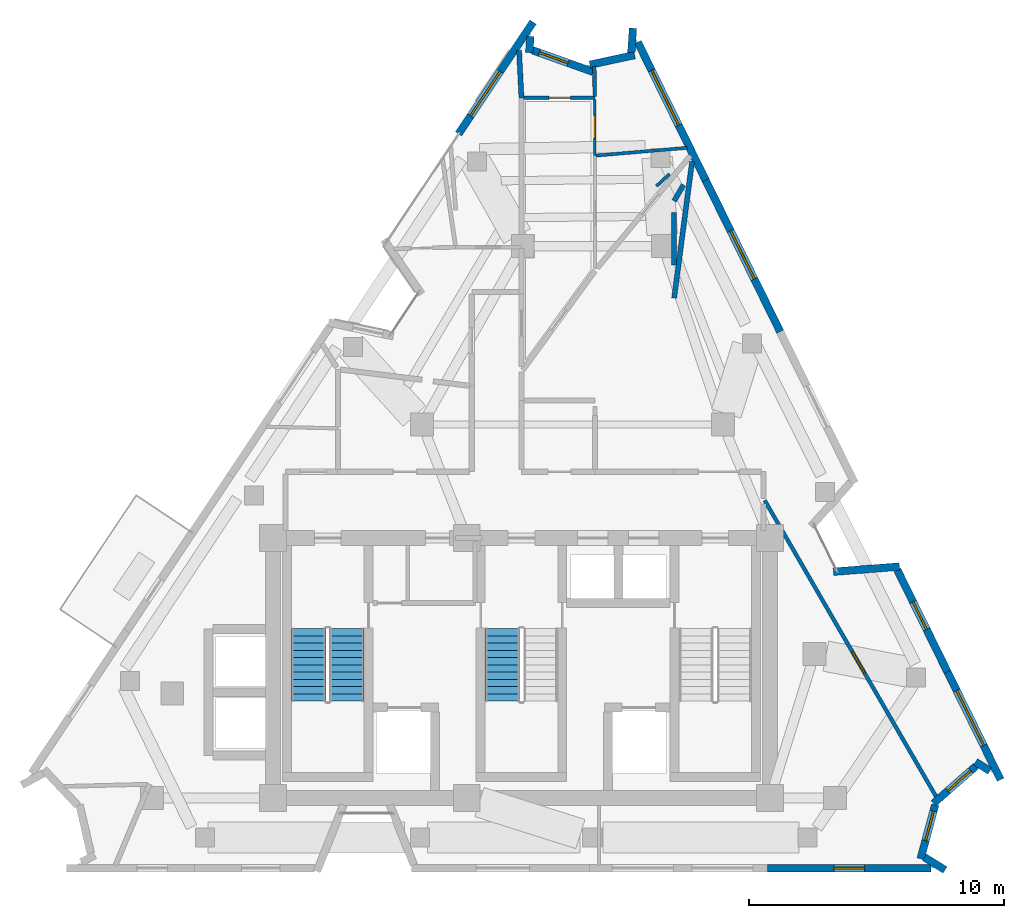
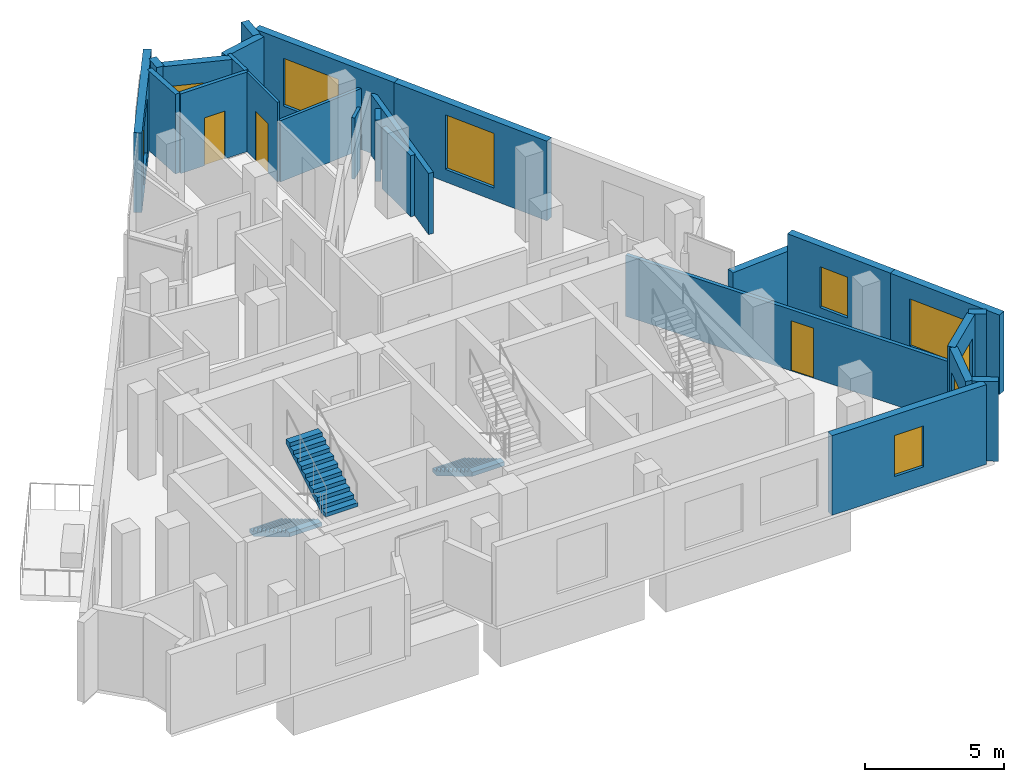
# One storey, part 7 of 10: 25 walls, 9 windows, 3 doors, 3 stair flights, 12 openings, 2 elements without a shape of their own.
"""IFC4 building model written with IfcOpenShell, lengths in metres."""

from ifc_helpers import new_model, si_unit, direction, frame, frame_2d, origin, place, context, subcontext, project, spatial, polyline, rectangle, outline, extrude, material, layer, layer_set, type_object, element, fill, aggregate, save


model = new_model("IFC4")

# Units and contexts
model_context = context("Model", 3, precision=1e-05, world=origin(), true_north=direction((0.0, 1.0)))
body_context = subcontext(model_context, "Body", "Model", "MODEL_VIEW")
ifc_project = project(units=[si_unit("LENGTHUNIT", "METRE"), si_unit("AREAUNIT", "SQUARE_METRE"), si_unit("VOLUMEUNIT", "CUBIC_METRE"), si_unit("PLANEANGLEUNIT", "RADIAN"), si_unit("MASSUNIT", "GRAM", prefix="KILO")], contexts=[model_context])

# Site, building, storey
site_placement = place(None, origin())
site = spatial("IfcSite", under=ifc_project, at=site_placement, CompositionType="ELEMENT")
building_placement = place(site_placement, origin())
building = spatial("IfcBuilding", under=site, at=building_placement, Name="Almagre Mirador Tower", CompositionType="ELEMENT")
storey_placement = place(building_placement, frame((0.0, 0.0, 270.75)))
storey = spatial("IfcBuildingStorey", under=building, at=storey_placement, Name="L70", CompositionType="ELEMENT", Elevation=270.75)

# Wall, opening, window
ifc_material_1 = material(Name="Precast concrete C50/60", Category="concrete")
ifc_layer_1 = layer(ifc_material_1, 0.300048828125)
ifc_layer_set_1 = layer_set([ifc_layer_1], Name="Precast concrete C50/60")
wall_type_1 = type_object("IfcWallType", Name="WAL-EXT-300", PredefinedType="SOLIDWALL", material=ifc_layer_set_1)
wall_1_placement = place(storey_placement, frame((34.83056640625, 30.6064453125, 0.0), z_axis=(0.0, 0.0, 1.0), x_axis=(0.555223932881, 0.831700898374, 0.0)))
wall_1 = element("IfcWall", 1, at=wall_1_placement, inside=storey, type_object=wall_type_1, Name="L70 expressed almagre precast frame wall 03", PredefinedType="SOLIDWALL", context=body_context, shape_type="SweptSolid", body=[
    extrude(rectangle(XDim=5.27001953125, YDim=0.300048828125, at=frame_2d((2.635009765625, 0.0))), origin(), (0.0, 0.0, 1.0), 3.5),
])
opening_1_placement = place(wall_1_placement, frame((0.85009765625, 0.0, 0.550048828125)))
opening_1 = element("IfcOpeningElement", 2, at=opening_1_placement, cuts=wall_1, Name="Opening WN-05", PredefinedType="OPENING", context=body_context, shape_type="SweptSolid", body=[
    extrude(rectangle(XDim=2.10009765625, YDim=2.39990234375, at=frame_2d((1.050048828125, 1.199951171875))), frame((0.0, 0.159902, 0.0), z_axis=(0.0, -1.0, 0.0), x_axis=(1.0, 0.0, 0.0)), (0.0, 0.0, 1.0), 0.320049),
])
ifc_material_2 = material(Name="Dark solar-control laminated hurricane glass", Category="glass")
window_type_1 = type_object("IfcWindowType", Name="WIN-2100X2400", PartitioningType="DOUBLE_PANEL_VERTICAL", PredefinedType="WINDOW", material=ifc_material_2)
window_1_placement = place(opening_1_placement, origin())
window_1 = element("IfcWindow", 3, at=window_1_placement, inside=storey, type_object=window_type_1, Name="L70 recessed hurricane window L70-UG-KT", OverallHeight=2.39990234375, OverallWidth=2.10009765625, PartitioningType="SINGLE_PANEL", PredefinedType="WINDOW", context=body_context, shape_type="SweptSolid", body=[
    extrude(rectangle(XDim=2.10009765625, YDim=2.39990234375, at=frame_2d((1.050048828125, 1.199951171875))), frame((0.0, 0.030029296875, 0.0), z_axis=(0.0, -1.0, 0.0), x_axis=(1.0, 0.0, 0.0)), (0.0, 0.0, 1.0), 0.06005859375),
])
fill(opening_1, window_1)

# Wall
wall_2_placement = place(storey_placement, frame((37.64990234375, 34.428955078125, 0.0), z_axis=(0.0, 0.0, 1.0), x_axis=(-0.065607578869, -0.997845501866, 0.0)))
element("IfcWall", 4, at=wall_2_placement, inside=storey, type_object=wall_type_1, Name="L70 expressed almagre precast frame wall 04", PredefinedType="SOLIDWALL", context=body_context, shape_type="SweptSolid", body=[
    extrude(rectangle(XDim=0.64013671875, YDim=0.300048828125, at=frame_2d((0.320068359375, 0.0))), origin(), (0.0, 0.0, 1.0), 3.5),
])

# Wall, opening, window
wall_3_placement = place(storey_placement, frame((37.73681640625, 33.88720703125, 0.0), z_axis=(0.0, 0.0, 1.0), x_axis=(0.941667304475, -0.33654522383, 0.0)))
wall_3 = element("IfcWall", 5, at=wall_3_placement, inside=storey, type_object=wall_type_1, Name="L70 expressed almagre precast frame wall 05", PredefinedType="SOLIDWALL", context=body_context, shape_type="SweptSolid", body=[
    extrude(rectangle(XDim=2.51806640625, YDim=0.300048828125, at=frame_2d((1.259033203125, 0.0))), origin(), (0.0, 0.0, 1.0), 3.5),
])
opening_2_placement = place(wall_3_placement, frame((0.282958984375, 0.0, 0.800048828125)))
opening_2 = element("IfcOpeningElement", 6, at=opening_2_placement, cuts=wall_3, Name="Opening WN-04", PredefinedType="OPENING", context=body_context, shape_type="SweptSolid", body=[
    extrude(rectangle(XDim=1.199951171875, YDim=1.800048828125, at=frame_2d((0.60009765625, 0.89990234375))), frame((0.0, 0.159902, 0.0), z_axis=(0.0, -1.0, 0.0), x_axis=(1.0, 0.0, 0.0)), (0.0, 0.0, 1.0), 0.320049),
])
ifc_material_3 = material(Name="Dark solar-control laminated hurricane glass", Category="glass")
window_type_2 = type_object("IfcWindowType", Name="WIN-1200X1800", PartitioningType="SINGLE_PANEL", PredefinedType="WINDOW", material=ifc_material_3)
window_2_placement = place(opening_2_placement, origin())
window_2 = element("IfcWindow", 7, at=window_2_placement, inside=storey, type_object=window_type_2, Name="L70 recessed hurricane window L70-UJ-HB", OverallHeight=1.800048828125, OverallWidth=1.199951171875, PartitioningType="SINGLE_PANEL", PredefinedType="WINDOW", context=body_context, shape_type="SweptSolid", body=[
    extrude(rectangle(XDim=1.199951171875, YDim=1.800048828125, at=frame_2d((0.60009765625, 0.89990234375))), frame((0.0, 0.030029296875, 0.0), z_axis=(0.0, -1.0, 0.0), x_axis=(1.0, 0.0, 0.0)), (0.0, 0.0, 1.0), 0.06005859375),
])
fill(opening_2, window_2)

# Walls
wall_4_placement = place(storey_placement, frame((39.983642578125, 33.3193359375, 0.0), z_axis=(0.0, 0.0, 1.0), x_axis=(0.977595119272, 0.210494139526, 0.0)))
element("IfcWall", 8, at=wall_4_placement, inside=storey, type_object=wall_type_1, Name="L70 expressed almagre precast frame wall 06", PredefinedType="SOLIDWALL", context=body_context, shape_type="SweptSolid", body=[
    extrude(rectangle(XDim=1.796630859375, YDim=0.300048828125, at=frame_2d((0.8984375, 0.0))), origin(), (0.0, 0.0, 1.0), 3.5),
])
wall_5_placement = place(storey_placement, frame((41.611572265625, 33.797607421875, 0.0), z_axis=(0.0, 0.0, 1.0), x_axis=(0.065687740424, 0.997840228072, 0.0)))
element("IfcWall", 9, at=wall_5_placement, inside=storey, type_object=wall_type_1, Name="L70 expressed almagre precast frame wall 07", PredefinedType="SOLIDWALL", context=body_context, shape_type="SweptSolid", body=[
    extrude(rectangle(XDim=0.955078125, YDim=0.300048828125, at=frame_2d((0.4775390625, 0.0))), origin(), (0.0, 0.0, 1.0), 3.5),
])

# Wall, opening, window
wall_6_placement = place(storey_placement, frame((41.86572265625, 34.20263671875, 0.0), z_axis=(0.0, 0.0, 1.0), x_axis=(0.44130789532, -0.897355749705, 0.0)))
wall_6 = element("IfcWall", 10, at=wall_6_placement, inside=storey, type_object=wall_type_1, Name="L70 expressed almagre precast frame wall 08", PredefinedType="SOLIDWALL", context=body_context, shape_type="SweptSolid", body=[
    extrude(rectangle(XDim=6.029052734375, YDim=0.300048828125, at=frame_2d((3.0146484375, 0.0))), origin(), (0.0, 0.0, 1.0), 3.5),
])
opening_3_placement = place(wall_6_placement, frame((1.22998046875, 0.0, 0.60009765625)))
opening_3 = element("IfcOpeningElement", 11, at=opening_3_placement, cuts=wall_6, Name="Opening WN-02", PredefinedType="OPENING", context=body_context, shape_type="SweptSolid", body=[
    extrude(rectangle(XDim=2.39990234375, YDim=2.10009765625, at=frame_2d((1.199951171875, 1.050048828125))), frame((0.0, 0.159902, 0.0), z_axis=(0.0, -1.0, 0.0), x_axis=(1.0, 0.0, 0.0)), (0.0, 0.0, 1.0), 0.320049),
])
ifc_material_4 = material(Name="Dark solar-control laminated hurricane glass", Category="glass")
window_type_3 = type_object("IfcWindowType", Name="WIN-2400X2100", PartitioningType="TRIPLE_PANEL_VERTICAL", PredefinedType="WINDOW", material=ifc_material_4)
window_3_placement = place(opening_3_placement, origin())
window_3 = element("IfcWindow", 12, at=window_3_placement, inside=storey, type_object=window_type_3, Name="L70 recessed hurricane window L70-UJ-MB", OverallHeight=2.10009765625, OverallWidth=2.39990234375, PartitioningType="SINGLE_PANEL", PredefinedType="WINDOW", context=body_context, shape_type="SweptSolid", body=[
    extrude(rectangle(XDim=2.39990234375, YDim=2.10009765625, at=frame_2d((1.199951171875, 1.050048828125))), frame((0.0, 0.030029296875, 0.0), z_axis=(0.0, -1.0, 0.0), x_axis=(1.0, 0.0, 0.0)), (0.0, 0.0, 1.0), 0.06005859375),
])
fill(opening_3, window_3)

wall_7_placement = place(storey_placement, frame((44.5263671875, 28.79248046875, 0.0), z_axis=(0.0, 0.0, 1.0), x_axis=(0.441321601589, -0.89734900901, 0.0)))
wall_7 = element("IfcWall", 13, at=wall_7_placement, inside=storey, type_object=wall_type_1, Name="L70 expressed almagre precast frame wall 09", PredefinedType="SOLIDWALL", context=body_context, shape_type="SweptSolid", body=[
    extrude(rectangle(XDim=6.6240234375, YDim=0.300048828125, at=frame_2d((3.31201171875, 0.0))), origin(), (0.0, 0.0, 1.0), 3.5),
])
opening_4_placement = place(wall_7_placement, frame((2.22509765625, 0.0, 0.550048828125)))
opening_4 = element("IfcOpeningElement", 14, at=opening_4_placement, cuts=wall_7, Name="Opening WN-05", PredefinedType="OPENING", context=body_context, shape_type="SweptSolid", body=[
    extrude(rectangle(XDim=2.10009765625, YDim=2.39990234375, at=frame_2d((1.050048828125, 1.199951171875))), frame((0.0, 0.159902, 0.0), z_axis=(0.0, -1.0, 0.0), x_axis=(1.0, 0.0, 0.0)), (0.0, 0.0, 1.0), 0.320049),
])
window_4_placement = place(opening_4_placement, origin())
window_4 = element("IfcWindow", 15, at=window_4_placement, inside=storey, type_object=window_type_1, Name="L70 recessed hurricane window L70-RST-F", OverallHeight=2.39990234375, OverallWidth=2.10009765625, PartitioningType="SINGLE_PANEL", PredefinedType="WINDOW", context=body_context, shape_type="SweptSolid", body=[
    extrude(rectangle(XDim=2.10009765625, YDim=2.39990234375, at=frame_2d((1.050048828125, 1.199951171875))), frame((0.0, 0.030029296875, 0.0), z_axis=(0.0, -1.0, 0.0), x_axis=(1.0, 0.0, 0.0)), (0.0, 0.0, 1.0), 0.06005859375),
])
fill(opening_4, window_4)

# Wall
wall_8_placement = place(storey_placement, frame((49.54150390625, 13.427001953125, 0.0), z_axis=(0.0, 0.0, 1.0), x_axis=(0.996900285663, 0.078675411953, 0.0)))
element("IfcWall", 16, at=wall_8_placement, inside=storey, type_object=wall_type_1, Name="L70 expressed almagre precast frame wall 12", PredefinedType="SOLIDWALL", context=body_context, shape_type="SweptSolid", body=[
    extrude(rectangle(XDim=2.59423828125, YDim=0.300048828125, at=frame_2d((1.297119140625, 0.0))), origin(), (0.0, 0.0, 1.0), 2.696044921875),
])

# Wall, opening, window
wall_9_placement = place(storey_placement, frame((52.047607421875, 13.498779296875, 0.0), z_axis=(0.0, 0.0, 1.0), x_axis=(0.441213940505, -0.897401949354, 0.0)))
wall_9 = element("IfcWall", 17, at=wall_9_placement, inside=storey, type_object=wall_type_1, Name="L70 expressed almagre precast frame wall 13", PredefinedType="SOLIDWALL", context=body_context, shape_type="SweptSolid", body=[
    extrude(rectangle(XDim=4.451171875, YDim=0.300048828125, at=frame_2d((2.2255859375, 0.0))), origin(), (0.0, 0.0, 1.0), 3.5),
])
opening_5_placement = place(wall_9_placement, frame((1.39990234375, 0.0, 0.800048828125)))
opening_5 = element("IfcOpeningElement", 18, at=opening_5_placement, cuts=wall_9, Name="Opening WN-04", PredefinedType="OPENING", context=body_context, shape_type="SweptSolid", body=[
    extrude(rectangle(XDim=1.199951171875, YDim=1.800048828125, at=frame_2d((0.60009765625, 0.89990234375))), frame((0.0, 0.159902, 0.0), z_axis=(0.0, -1.0, 0.0), x_axis=(1.0, 0.0, 0.0)), (0.0, 0.0, 1.0), 0.320049),
])
window_5_placement = place(opening_5_placement, origin())
window_5 = element("IfcWindow", 19, at=window_5_placement, inside=storey, type_object=window_type_2, Name="L70 recessed hurricane window L70-RST-F", OverallHeight=1.800048828125, OverallWidth=1.199951171875, PartitioningType="SINGLE_PANEL", PredefinedType="WINDOW", context=body_context, shape_type="SweptSolid", body=[
    extrude(rectangle(XDim=1.199951171875, YDim=1.800048828125, at=frame_2d((0.60009765625, 0.89990234375))), frame((0.0, 0.030029296875, 0.0), z_axis=(0.0, -1.0, 0.0), x_axis=(1.0, 0.0, 0.0)), (0.0, 0.0, 1.0), 0.06005859375),
])
fill(opening_5, window_5)

wall_10_placement = place(storey_placement, frame((54.011474609375, 9.50439453125, 0.0), z_axis=(0.0, 0.0, 1.0), x_axis=(0.44123168194, -0.897393226435, 0.0)))
wall_10 = element("IfcWall", 20, at=wall_10_placement, inside=storey, type_object=wall_type_1, Name="L70 expressed almagre precast frame wall 14", PredefinedType="SOLIDWALL", context=body_context, shape_type="SweptSolid", body=[
    extrude(rectangle(XDim=4.725830078125, YDim=0.300048828125, at=frame_2d((2.36279296875, 0.0))), origin(), (0.0, 0.0, 1.0), 3.5),
])
opening_6_placement = place(wall_10_placement, frame((0.824951171875, 0.0, 0.60009765625)))
opening_6 = element("IfcOpeningElement", 21, at=opening_6_placement, cuts=wall_10, Name="Opening WN-02", PredefinedType="OPENING", context=body_context, shape_type="SweptSolid", body=[
    extrude(rectangle(XDim=2.39990234375, YDim=2.10009765625, at=frame_2d((1.199951171875, 1.050048828125))), frame((0.0, 0.159902, 0.0), z_axis=(0.0, -1.0, 0.0), x_axis=(1.0, 0.0, 0.0)), (0.0, 0.0, 1.0), 0.320049),
])
window_6_placement = place(opening_6_placement, origin())
window_6 = element("IfcWindow", 22, at=window_6_placement, inside=storey, type_object=window_type_3, Name="L70 recessed hurricane window L70-RST-F", OverallHeight=2.10009765625, OverallWidth=2.39990234375, PartitioningType="SINGLE_PANEL", PredefinedType="WINDOW", context=body_context, shape_type="SweptSolid", body=[
    extrude(rectangle(XDim=2.39990234375, YDim=2.10009765625, at=frame_2d((1.199951171875, 1.050048828125))), frame((0.0, 0.030029296875, 0.0), z_axis=(0.0, -1.0, 0.0), x_axis=(1.0, 0.0, 0.0)), (0.0, 0.0, 1.0), 0.06005859375),
])
fill(opening_6, window_6)

# Wall
wall_11_placement = place(storey_placement, frame((55.67431640625, 5.61376953125, 0.0), z_axis=(0.0, 0.0, 1.0), x_axis=(-0.848455116915, 0.529267337535, 0.0)))
element("IfcWall", 23, at=wall_11_placement, inside=storey, type_object=wall_type_1, Name="L70 expressed almagre precast frame wall 15", PredefinedType="SOLIDWALL", context=body_context, shape_type="SweptSolid", body=[
    extrude(rectangle(XDim=0.66015625, YDim=0.300048828125, at=frame_2d((0.330078125, 0.0))), origin(), (0.0, 0.0, 1.0), 3.5),
])

# Wall, opening, window
wall_12_placement = place(storey_placement, frame((55.13525390625, 5.80322265625, 0.0), z_axis=(0.0, 0.0, 1.0), x_axis=(-0.751744762281, -0.659454177622, 0.0)))
wall_12 = element("IfcWall", 24, at=wall_12_placement, inside=storey, type_object=wall_type_1, Name="L70 expressed almagre precast frame wall 16", PredefinedType="SOLIDWALL", context=body_context, shape_type="SweptSolid", body=[
    extrude(rectangle(XDim=2.219482421875, YDim=0.300048828125, at=frame_2d((1.10986328125, 0.0))), origin(), (0.0, 0.0, 1.0), 3.5),
])
opening_7_placement = place(wall_12_placement, frame((0.280029296875, 0.0, 0.800048828125)))
opening_7 = element("IfcOpeningElement", 25, at=opening_7_placement, cuts=wall_12, Name="Opening WN-04", PredefinedType="OPENING", context=body_context, shape_type="SweptSolid", body=[
    extrude(rectangle(XDim=1.199951171875, YDim=1.800048828125, at=frame_2d((0.60009765625, 0.89990234375))), frame((0.0, 0.159902, 0.0), z_axis=(0.0, -1.0, 0.0), x_axis=(1.0, 0.0, 0.0)), (0.0, 0.0, 1.0), 0.320049),
])
window_7_placement = place(opening_7_placement, origin())
window_7 = element("IfcWindow", 26, at=window_7_placement, inside=storey, type_object=window_type_2, Name="L70 recessed hurricane window L70-RST-F", OverallHeight=1.800048828125, OverallWidth=1.199951171875, PartitioningType="SINGLE_PANEL", PredefinedType="WINDOW", context=body_context, shape_type="SweptSolid", body=[
    extrude(rectangle(XDim=1.199951171875, YDim=1.800048828125, at=frame_2d((0.60009765625, 0.89990234375))), frame((0.0, 0.030029296875, 0.0), z_axis=(0.0, -1.0, 0.0), x_axis=(1.0, 0.0, 0.0)), (0.0, 0.0, 1.0), 0.06005859375),
])
fill(opening_7, window_7)

wall_13_placement = place(storey_placement, frame((53.532958984375, 4.287109375, 0.0), z_axis=(0.0, 0.0, 1.0), x_axis=(-0.259818176463, -0.965657555855, 0.0)))
wall_13 = element("IfcWall", 27, at=wall_13_placement, inside=storey, type_object=wall_type_1, Name="L70 expressed almagre precast frame wall 17", PredefinedType="SOLIDWALL", context=body_context, shape_type="SweptSolid", body=[
    extrude(rectangle(XDim=2.19873046875, YDim=0.300048828125, at=frame_2d((1.099365234375, 0.0))), origin(), (0.0, 0.0, 1.0), 3.5),
])
opening_8_placement = place(wall_13_placement, frame((0.260009765625, 0.0, 0.800048828125)))
opening_8 = element("IfcOpeningElement", 28, at=opening_8_placement, cuts=wall_13, Name="Opening WN-04", PredefinedType="OPENING", context=body_context, shape_type="SweptSolid", body=[
    extrude(rectangle(XDim=1.199951171875, YDim=1.800048828125, at=frame_2d((0.60009765625, 0.89990234375))), frame((0.0, 0.159902, 0.0), z_axis=(0.0, -1.0, 0.0), x_axis=(1.0, 0.0, 0.0)), (0.0, 0.0, 1.0), 0.320049),
])
window_8_placement = place(opening_8_placement, origin())
window_8 = element("IfcWindow", 29, at=window_8_placement, inside=storey, type_object=window_type_2, Name="L70 recessed hurricane window L70-RST-C", OverallHeight=1.800048828125, OverallWidth=1.199951171875, PartitioningType="SINGLE_PANEL", PredefinedType="WINDOW", context=body_context, shape_type="SweptSolid", body=[
    extrude(rectangle(XDim=1.199951171875, YDim=1.800048828125, at=frame_2d((0.60009765625, 0.89990234375))), frame((0.0, 0.030029296875, 0.0), z_axis=(0.0, -1.0, 0.0), x_axis=(1.0, 0.0, 0.0)), (0.0, 0.0, 1.0), 0.06005859375),
])
fill(opening_8, window_8)

# Wall
wall_14_placement = place(storey_placement, frame((53.1083984375, 2.23046875, 0.0), z_axis=(0.0, 0.0, 1.0), x_axis=(0.849031111495, -0.528342854322, 0.0)))
element("IfcWall", 30, at=wall_14_placement, inside=storey, type_object=wall_type_1, Name="L70 expressed almagre precast frame wall 18", PredefinedType="SOLIDWALL", context=body_context, shape_type="SweptSolid", body=[
    extrude(rectangle(XDim=0.95458984375, YDim=0.300048828125, at=frame_2d((0.477294921875, 0.0))), origin(), (0.0, 0.0, 1.0), 3.5),
])

# Wall, opening, window
wall_15_placement = place(storey_placement, frame((53.375, 1.800048828125, 0.0), z_axis=(0.0, 0.0, 1.0), x_axis=(-1.0, 0.0, 0.0)))
wall_15 = element("IfcWall", 31, at=wall_15_placement, inside=storey, type_object=wall_type_1, Name="L70 expressed almagre precast frame wall 19", PredefinedType="SOLIDWALL", context=body_context, shape_type="SweptSolid", body=[
    extrude(rectangle(XDim=6.4189453125, YDim=0.300048828125, at=frame_2d((3.20947265625, 0.0))), origin(), (0.0, 0.0, 1.0), 3.5),
])
opening_9_placement = place(wall_15_placement, frame((2.610107421875, 0.0, 0.800048828125)))
opening_9 = element("IfcOpeningElement", 32, at=opening_9_placement, cuts=wall_15, Name="Opening WN-04", PredefinedType="OPENING", context=body_context, shape_type="SweptSolid", body=[
    extrude(rectangle(XDim=1.199951171875, YDim=1.800048828125, at=frame_2d((0.60009765625, 0.89990234375))), frame((0.0, 0.159902, 0.0), z_axis=(0.0, -1.0, 0.0), x_axis=(1.0, 0.0, 0.0)), (0.0, 0.0, 1.0), 0.320049),
])
window_9_placement = place(opening_9_placement, origin())
window_9 = element("IfcWindow", 33, at=window_9_placement, inside=storey, type_object=window_type_2, Name="L70 recessed hurricane window L70-RST-C", OverallHeight=1.800048828125, OverallWidth=1.199951171875, PartitioningType="SINGLE_PANEL", PredefinedType="WINDOW", context=body_context, shape_type="SweptSolid", body=[
    extrude(rectangle(XDim=1.199951171875, YDim=1.800048828125, at=frame_2d((0.60009765625, 0.89990234375))), frame((0.0, 0.030029296875, 0.0), z_axis=(0.0, -1.0, 0.0), x_axis=(1.0, 0.0, 0.0)), (0.0, 0.0, 1.0), 0.06005859375),
])
fill(opening_9, window_9)

# Wall, opening, door
ifc_material_5 = material(Name="Gypsum acoustic stud partition", Category="other")
ifc_layer_2 = layer(ifc_material_5, 0.10009765625)
ifc_layer_set_2 = layer_set([ifc_layer_2], Name="Gypsum acoustic stud partition")
wall_type_2 = type_object("IfcWallType", Name="WAL-PRT-100-CLS", PredefinedType="PARTITIONING", material=ifc_layer_set_2)
wall_16_placement = place(storey_placement, frame((40.179931640625, 29.75, 0.0), z_axis=(0.0, 0.0, 1.0), x_axis=(0.0, 1.0, 0.0)))
wall_16 = element("IfcWall", 34, at=wall_16_placement, inside=storey, type_object=wall_type_2, Name="L70 interior partition 047", PredefinedType="PARTITIONING", context=body_context, shape_type="SweptSolid", body=[
    extrude(rectangle(XDim=2.2099609375, YDim=0.10009765625, at=frame_2d((1.10498046875, 0.0))), origin(), (0.0, 0.0, 1.0), 3.5),
])
opening_10_placement = place(wall_16_placement, frame((0.68505859375, 0.0, 0.0)))
opening_10 = element("IfcOpeningElement", 35, at=opening_10_placement, cuts=wall_16, Name="Opening UD-02", PredefinedType="OPENING", context=body_context, shape_type="SweptSolid", body=[
    extrude(rectangle(XDim=0.89990234375, YDim=2.14990234375, at=frame_2d((0.449951171875, 1.074951171875))), frame((0.0, 0.060049, 0.0), z_axis=(0.0, -1.0, 0.0), x_axis=(1.0, 0.0, 0.0)), (0.0, 0.0, 1.0), 0.120098),
])
ifc_material_6 = material(Name="Solid American walnut timber", Category="wood")
door_type_1 = type_object("IfcDoorType", Name="DOR-UNR-900X2150", OperationType="NOTDEFINED", PredefinedType="DOOR", material=ifc_material_6)
door_1_placement = place(opening_10_placement, origin())
door_1 = element("IfcDoor", 36, at=door_1_placement, inside=storey, type_object=door_type_1, Name="DR-2133 L70 interior door L70-UJ-LV to L70-UJ-MB", OperationType="SINGLE_SWING_LEFT", OverallHeight=2.14990234375, OverallWidth=0.89990234375, PredefinedType="DOOR", context=body_context, shape_type="SweptSolid", body=[
    extrude(rectangle(XDim=0.89990234375, YDim=2.14990234375, at=frame_2d((0.449951171875, 1.074951171875))), frame((0.0, 0.02490234375, 0.0), z_axis=(0.0, -1.0, 0.0), x_axis=(1.0, 0.0, 0.0)), (0.0, 0.0, 1.0), 0.050048828125),
])
fill(opening_10, door_1)

# Walls
ifc_material_7 = material(Name="Gypsum acoustic stud partition", Category="other")
ifc_layer_3 = layer(ifc_material_7, 0.125)
ifc_layer_set_3 = layer_set([ifc_layer_3], Name="Gypsum acoustic stud partition")
wall_type_3 = type_object("IfcWallType", Name="WAL-PRT-125-UTL", PredefinedType="PARTITIONING", material=ifc_layer_set_3)
wall_17_placement = place(storey_placement, frame((43.802978515625, 30.05810546875, 0.0), z_axis=(0.0, 0.0, 1.0), x_axis=(-0.996400697419, -0.08476821446, 0.0)))
element("IfcWall", 37, at=wall_17_placement, inside=storey, type_object=wall_type_3, Name="L70 interior partition 049", PredefinedType="PARTITIONING", context=body_context, shape_type="SweptSolid", body=[
    extrude(rectangle(XDim=3.588623046875, YDim=0.125, at=frame_2d((1.79443359375, 0.0))), origin(), (0.0, 0.0, 1.0), 2.69091796875),
])
wall_18_placement = place(storey_placement, frame((43.110107421875, 29.031005859375, 0.0), z_axis=(0.0, 0.0, 1.0), x_axis=(-0.732867291621, -0.680371613805, 0.0)))
element("IfcWall", 38, at=wall_18_placement, inside=storey, type_object=wall_type_3, Name="L70 interior partition 052", PredefinedType="PARTITIONING", context=body_context, shape_type="SweptSolid", body=[
    extrude(rectangle(XDim=0.706787109375, YDim=0.125, at=frame_2d((0.353515625, 0.0))), origin(), (0.0, 0.0, 1.0), 2.69091796875),
])

# Wall, opening, door
ifc_material_8 = material(Name="Gypsum acoustic stud partition", Category="other")
ifc_layer_4 = layer(ifc_material_8, 0.14990234375)
ifc_layer_set_4 = layer_set([ifc_layer_4], Name="Gypsum acoustic stud partition")
wall_type_4 = type_object("IfcWallType", Name="WAL-PRT-150-STD", PredefinedType="PARTITIONING", material=ifc_layer_set_4)
wall_19_placement = place(storey_placement, frame((53.577880859375, 4.587890625, 0.0), z_axis=(0.0, 0.0, 1.0), x_axis=(-0.500886683544, 0.86551287122, 0.0)))
wall_19 = element("IfcWall", 39, at=wall_19_placement, inside=storey, type_object=wall_type_4, Name="L70 interior partition 025", PredefinedType="PARTITIONING", context=body_context, shape_type="SweptSolid", body=[
    extrude(rectangle(XDim=13.44677734375, YDim=0.14990234375, at=frame_2d((6.723388671875, 0.0))), origin(), (0.0, 0.0, 1.0), 2.69091796875),
])
opening_11_placement = place(wall_19_placement, frame((5.63720703125, 0.0, 0.0)))
opening_11 = element("IfcOpeningElement", 40, at=opening_11_placement, cuts=wall_19, Name="Opening UD-01", PredefinedType="OPENING", context=body_context, shape_type="SweptSolid", body=[
    extrude(rectangle(XDim=0.949951171875, YDim=2.199951171875, at=frame_2d((0.47509765625, 1.10009765625))), frame((0.0, 0.084951, 0.0), z_axis=(0.0, -1.0, 0.0), x_axis=(1.0, 0.0, 0.0)), (0.0, 0.0, 1.0), 0.169902),
])
ifc_material_9 = material(Name="Solid American walnut timber", Category="wood")
door_type_2 = type_object("IfcDoorType", Name="DOR-UNR-950X2200", OperationType="NOTDEFINED", PredefinedType="DOOR", material=ifc_material_9)
door_2_placement = place(opening_11_placement, origin())
door_2 = element("IfcDoor", 41, at=door_2_placement, inside=storey, type_object=door_type_2, Name="DR-2135 L70 interior door L70-RST-C to L70-RST-F", OperationType="SINGLE_SWING_RIGHT", OverallHeight=2.199951171875, OverallWidth=0.949951171875, PredefinedType="DOOR", context=body_context, shape_type="SweptSolid", body=[
    extrude(rectangle(XDim=0.949951171875, YDim=2.199951171875, at=frame_2d((0.47509765625, 1.10009765625))), frame((0.0, 0.02490234375, 0.0), z_axis=(0.0, -1.0, 0.0), x_axis=(1.0, 0.0, 0.0)), (0.0, 0.0, 1.0), 0.050048828125),
])
fill(opening_11, door_2)

wall_20_placement = place(storey_placement, frame((40.179931640625, 32.02001953125, 0.0), z_axis=(0.0, 0.0, 1.0), x_axis=(-1.0, 0.0, 0.0)))
wall_20 = element("IfcWall", 42, at=wall_20_placement, inside=storey, type_object=wall_type_4, Name="L70 interior partition 045", PredefinedType="PARTITIONING", context=body_context, shape_type="SweptSolid", body=[
    extrude(rectangle(XDim=2.794921875, YDim=0.14990234375, at=frame_2d((1.3974609375, 0.0))), origin(), (0.0, 0.0, 1.0), 3.5),
])
opening_12_placement = place(wall_20_placement, frame((0.956787109375, 0.0, 0.0)))
opening_12 = element("IfcOpeningElement", 43, at=opening_12_placement, cuts=wall_20, Name="Opening UD-04", PredefinedType="OPENING", context=body_context, shape_type="SweptSolid", body=[
    extrude(rectangle(XDim=0.85009765625, YDim=2.10009765625, at=frame_2d((0.425048828125, 1.050048828125))), frame((0.0, 0.084951, 0.0), z_axis=(0.0, -1.0, 0.0), x_axis=(1.0, 0.0, 0.0)), (0.0, 0.0, 1.0), 0.169902),
])
ifc_material_10 = material(Name="Moisture-resistant oak timber", Category="wood")
door_type_3 = type_object("IfcDoorType", Name="DOR-UNR-850X2100", OperationType="NOTDEFINED", PredefinedType="DOOR", material=ifc_material_10)
door_3_placement = place(opening_12_placement, origin())
door_3 = element("IfcDoor", 44, at=door_3_placement, inside=storey, type_object=door_type_3, Name="DR-2132 L70 interior door L70-UJ-LV to L70-UJ-HB", OperationType="SINGLE_SWING_RIGHT", OverallHeight=2.10009765625, OverallWidth=0.85009765625, PredefinedType="DOOR", context=body_context, shape_type="SweptSolid", body=[
    extrude(rectangle(XDim=0.85009765625, YDim=2.10009765625, at=frame_2d((0.425048828125, 1.050048828125))), frame((0.0, 0.02490234375, 0.0), z_axis=(0.0, -1.0, 0.0), x_axis=(1.0, 0.0, 0.0)), (0.0, 0.0, 1.0), 0.050048828125),
])
fill(opening_12, door_3)

# Walls
wall_21_placement = place(storey_placement, frame((40.17919921875, 32.080078125, 0.0), z_axis=(0.0, 0.0, 1.0), x_axis=(-0.019685303924, 0.99980622563, 0.0)))
element("IfcWall", 45, at=wall_21_placement, inside=storey, type_object=wall_type_4, Name="L70 interior partition 048", PredefinedType="PARTITIONING", context=body_context, shape_type="SweptSolid", body=[
    extrude(rectangle(XDim=1.17822265625, YDim=0.14990234375, at=frame_2d((0.589111328125, 0.0))), origin(), (0.0, 0.0, 1.0), 3.5),
])
ifc_material_11 = material(Name="Gypsum acoustic stud partition", Category="other")
ifc_layer_5 = layer(ifc_material_11, 0.199951171875)
ifc_layer_set_5 = layer_set([ifc_layer_5], Name="Gypsum acoustic stud partition")
wall_type_5 = type_object("IfcWallType", Name="WAL-PRT-200-EI60", PredefinedType="PARTITIONING", material=ifc_layer_set_5)
wall_22_placement = place(storey_placement, frame((43.993896484375, 29.52197265625, 0.0), z_axis=(0.0, 0.0, 1.0), x_axis=(-0.130149716282, -0.991494352657, 0.0)))
element("IfcWall", 46, at=wall_22_placement, inside=storey, type_object=wall_type_5, Name="L70 interior partition 033", PredefinedType="PARTITIONING", context=body_context, shape_type="SweptSolid", body=[
    extrude(rectangle(XDim=5.407958984375, YDim=0.199951171875, at=frame_2d((2.7041015625, 0.0))), origin(), (0.0, 0.0, 1.0), 2.68505859375),
])
wall_23_placement = place(storey_placement, frame((37.300048828125, 32.02001953125, 0.0), z_axis=(0.0, 0.0, 1.0), x_axis=(-0.050388014823, 0.998729717172, 0.0)))
element("IfcWall", 47, at=wall_23_placement, inside=storey, type_object=wall_type_5, Name="L70 interior partition 040", PredefinedType="PARTITIONING", context=body_context, shape_type="SweptSolid", body=[
    extrude(rectangle(XDim=1.865478515625, YDim=0.199951171875, at=frame_2d((0.9326171875, 0.0))), origin(), (0.0, 0.0, 1.0), 3.5),
])
wall_24_placement = place(storey_placement, frame((43.656005859375, 28.60498046875, 0.0), z_axis=(0.0, 0.0, 1.0), x_axis=(-0.501788224026, -0.864990507594, 0.0)))
element("IfcWall", 48, at=wall_24_placement, inside=storey, type_object=wall_type_5, Name="L70 interior partition 050", PredefinedType="PARTITIONING", context=body_context, shape_type="SweptSolid", body=[
    extrude(rectangle(XDim=0.729248046875, YDim=0.199951171875, at=frame_2d((0.36474609375, 0.0))), origin(), (0.0, 0.0, 1.0), 2.69091796875),
])
wall_25_placement = place(storey_placement, frame((43.2900390625, 27.52197265625, 0.0), z_axis=(0.0, 0.0, 1.0), x_axis=(0.0, -1.0, 0.0)))
element("IfcWall", 49, at=wall_25_placement, inside=storey, type_object=wall_type_5, Name="L70 interior partition 051", PredefinedType="PARTITIONING", context=body_context, shape_type="SweptSolid", body=[
    extrude(rectangle(XDim=2.069091796875, YDim=0.199951171875, at=frame_2d((1.03466796875, 0.0))), origin(), (0.0, 0.0, 1.0), 2.68505859375),
])

# Stair, stair flights
ifc_material_12 = material(Name="Concrete C45/55", Category="concrete")
stair_type = type_object("IfcStairType", Name="STR-DL-3750", PredefinedType="HALF_TURN_STAIR", material=ifc_material_12)
stair_1_placement = place(storey_placement, origin())
stair_1 = element("IfcStair", 50, at=stair_1_placement, inside=storey, type_object=stair_type, Name="L70 Protected exit stair ST-1", PredefinedType="HALF_TURN_STAIR")
ifc_material_13 = material(Name="Concrete C45/55", Category="concrete")
stair_flight_type = type_object("IfcStairFlightType", Name="FLT-DL-3750", PredefinedType="STRAIGHT", material=ifc_material_13)
stair_flight_1_placement = place(storey_placement, frame((28.949951171875, 11.199951171875, 0.0), z_axis=(0.0, 0.0, 1.0), x_axis=(0.0, -1.0, 0.0)))
stair_flight_1 = element("IfcStairFlight", 51, at=stair_flight_1_placement, type_object=stair_flight_type, Name="ST-1 flight 1", NumberOfRisers=11, NumberOfTreads=10, PredefinedType="STRAIGHT", RiserHeight=0.170454545, TreadLength=0.285, context=body_context, shape_type="SweptSolid", body=[
    extrude(outline(polyline([(0.0, 0.0), (0.0, 0.17041015625), (0.284912109375, 0.17041015625), (0.284912109375, 0.3408203125), (0.570068359375, 0.3408203125), (0.570068359375, 0.511474609375), (0.85498046875, 0.511474609375), (0.85498046875, 0.681884765625), (1.139892578125, 0.681884765625), (1.139892578125, 0.852294921875), (1.425048828125, 0.852294921875), (1.425048828125, 1.022705078125), (1.7099609375, 1.022705078125), (1.7099609375, 1.193115234375), (1.9951171875, 1.193115234375), (1.9951171875, 1.363525390625), (2.280029296875, 1.363525390625), (2.280029296875, 1.5341796875), (2.56494140625, 1.5341796875), (2.56494140625, 1.70458984375), (2.85009765625, 1.70458984375), (2.85009765625, 1.875), (2.85009765625, 1.52978515625), (0.2919921875, 0.0), (0.0, 0.0)])), frame((0.0, 0.675048828125, 0.0), z_axis=(0.0, -1.0, 0.0), x_axis=(1.0, 0.0, 0.0)), (0.0, 0.0, 1.0), 1.35009765625),
])
stair_flight_2_placement = place(storey_placement, frame((30.449951171875, 8.35009765625, 1.875), z_axis=(0.0, 0.0, 1.0), x_axis=(0.0, 1.0, 0.0)))
stair_flight_2 = element("IfcStairFlight", 52, at=stair_flight_2_placement, type_object=stair_flight_type, Name="ST-1 flight 2", NumberOfRisers=11, NumberOfTreads=10, PredefinedType="STRAIGHT", RiserHeight=0.170454545, TreadLength=0.285, context=body_context, shape_type="SweptSolid", body=[
    extrude(outline(polyline([(0.0, 0.0), (0.0, 0.17041015625), (0.284912109375, 0.17041015625), (0.284912109375, 0.3408203125), (0.570068359375, 0.3408203125), (0.570068359375, 0.511474609375), (0.85498046875, 0.511474609375), (0.85498046875, 0.681884765625), (1.139892578125, 0.681884765625), (1.139892578125, 0.852294921875), (1.425048828125, 0.852294921875), (1.425048828125, 1.022705078125), (1.7099609375, 1.022705078125), (1.7099609375, 1.193115234375), (1.9951171875, 1.193115234375), (1.9951171875, 1.363525390625), (2.280029296875, 1.363525390625), (2.280029296875, 1.5341796875), (2.56494140625, 1.5341796875), (2.56494140625, 1.70458984375), (2.85009765625, 1.70458984375), (2.85009765625, 1.875), (2.85009765625, 1.52978515625), (0.2919921875, 0.0), (0.0, 0.0)])), frame((0.0, 0.675048828125, 0.0), z_axis=(0.0, -1.0, 0.0), x_axis=(1.0, 0.0, 0.0)), (0.0, 0.0, 1.0), 1.35009765625),
])
aggregate(stair_1, [stair_flight_1, stair_flight_2])

# Stair, stair flight
stair_2_placement = place(storey_placement, origin())
stair_2 = element("IfcStair", 53, at=stair_2_placement, inside=storey, type_object=stair_type, Name="L70 Protected exit stair ST-2", PredefinedType="HALF_TURN_STAIR")
stair_flight_3_placement = place(storey_placement, frame((36.550048828125, 11.199951171875, 0.0), z_axis=(0.0, 0.0, 1.0), x_axis=(0.0, -1.0, 0.0)))
stair_flight_3 = element("IfcStairFlight", 54, at=stair_flight_3_placement, type_object=stair_flight_type, Name="ST-2 flight 1", NumberOfRisers=11, NumberOfTreads=10, PredefinedType="STRAIGHT", RiserHeight=0.170454545, TreadLength=0.285, context=body_context, shape_type="SweptSolid", body=[
    extrude(outline(polyline([(0.0, 0.0), (0.0, 0.17041015625), (0.284912109375, 0.17041015625), (0.284912109375, 0.3408203125), (0.570068359375, 0.3408203125), (0.570068359375, 0.511474609375), (0.85498046875, 0.511474609375), (0.85498046875, 0.681884765625), (1.139892578125, 0.681884765625), (1.139892578125, 0.852294921875), (1.425048828125, 0.852294921875), (1.425048828125, 1.022705078125), (1.7099609375, 1.022705078125), (1.7099609375, 1.193115234375), (1.9951171875, 1.193115234375), (1.9951171875, 1.363525390625), (2.280029296875, 1.363525390625), (2.280029296875, 1.5341796875), (2.56494140625, 1.5341796875), (2.56494140625, 1.70458984375), (2.85009765625, 1.70458984375), (2.85009765625, 1.875), (2.85009765625, 1.52978515625), (0.2919921875, 0.0), (0.0, 0.0)])), frame((0.0, 0.675048828125, 0.0), z_axis=(0.0, -1.0, 0.0), x_axis=(1.0, 0.0, 0.0)), (0.0, 0.0, 1.0), 1.35009765625),
])
aggregate(stair_2, [stair_flight_3])

save(model, "model.ifc")
